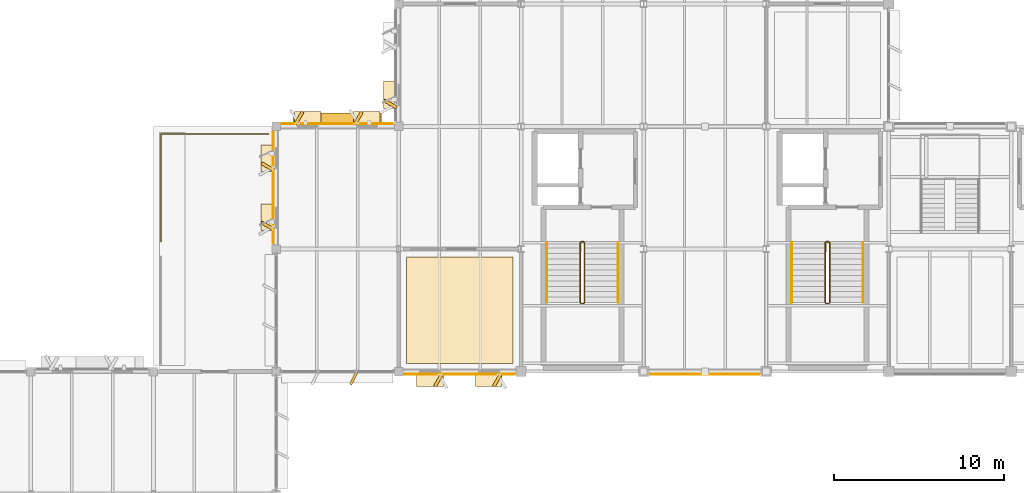
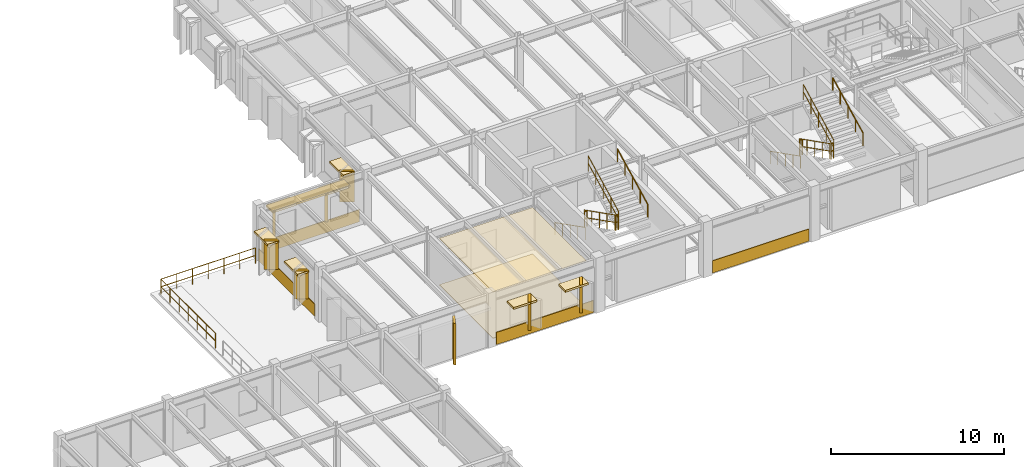
# One storey, part 32 of 35: 21 coverings, 14 railings, 1 shading device.
"""IFC4 building model written with IfcOpenShell, lengths in metres."""

from ifc_helpers import new_model, si_unit, direction, frame, frame_2d, origin, origin_2d, place, context, subcontext, project, spatial, polyline, rectangle, circle, outline, extrude, material, layer, layer_set, type_object, element, save


model = new_model("IFC4")

# Units and contexts
model_context = context("Model", 3, precision=1e-05, world=origin(), true_north=direction((0.0, 1.0)))
body_context = subcontext(model_context, "Body", "Model", "MODEL_VIEW")
ifc_project = project(units=[si_unit("LENGTHUNIT", "METRE"), si_unit("AREAUNIT", "SQUARE_METRE"), si_unit("VOLUMEUNIT", "CUBIC_METRE"), si_unit("PLANEANGLEUNIT", "RADIAN"), si_unit("MASSUNIT", "GRAM", prefix="KILO")], contexts=[model_context])

# Site, building, storey
site_placement = place(None, origin())
site = spatial("IfcSite", under=ifc_project, at=site_placement, CompositionType="ELEMENT")
building_placement = place(site_placement, origin())
building = spatial("IfcBuilding", under=site, at=building_placement, Name="Sillqori Civic Hall", CompositionType="ELEMENT")
storey_placement = place(building_placement, frame((0.0, 0.0, 18.0)))
storey = spatial("IfcBuildingStorey", under=building, at=storey_placement, Name="L05", CompositionType="ELEMENT", Elevation=18.0)

# Coverings
ifc_material_1 = material(Name="Acoustic Gypsum Board Assembly 28", Category="gypsum")
ifc_layer_1 = layer(ifc_material_1, 0.028076171875)
ifc_layer_set_1 = layer_set([ifc_layer_1], Name="Acoustic Gypsum Board Assembly 28")
covering_type_1 = type_object("IfcCoveringType", Name="COV-CEIL-G28", PredefinedType="CEILING", material=ifc_layer_set_1)
covering_1_placement = place(storey_placement, frame((0.0, 0.0, 3.298095703125)))
element("IfcCovering", 1, at=covering_1_placement, inside=storey, type_object=covering_type_1, Name="Municipal Legal Secretariat Directorate acoustic ceiling", PredefinedType="CEILING", context=body_context, shape_type="SweptSolid", body=[
    extrude(outline(polyline([(43.679931640625, 79.679931640625), (49.919921875, 79.679931640625), (49.919921875, 85.919921875), (43.679931640625, 85.919921875), (43.679931640625, 79.679931640625)])), origin(), (0.0, 0.0, 1.0), 0.02783203125),
])
ifc_material_2 = material(Name="Cochabamba Honed Limestone Cladding", Category="masonry")
ifc_layer_2 = layer(ifc_material_2, 0.044921875)
ifc_layer_set_2 = layer_set([ifc_layer_2], Name="Cochabamba Honed Limestone Cladding")
covering_type_2 = type_object("IfcCoveringType", Name="COV-CLAD-LIME", PredefinedType="CLADDING", material=ifc_layer_set_2)
covering_2_placement = place(storey_placement, frame((40.739013671875, 79.14990234375, 0.06005859375), z_axis=(0.0, 0.0, 1.0), x_axis=(-0.447334902547, -0.894366527193, 0.0)))
element("IfcCovering", 2, at=covering_2_placement, inside=storey, type_object=covering_type_2, Name="L05 curtain-wall angled stone fin L05-05-11-S.1", PredefinedType="CLADDING", context=body_context, shape_type="SweptSolid", body=[
    extrude(rectangle(XDim=0.804931640625, YDim=0.139892578125, at=frame_2d((0.40234375, 0.0))), origin(), (0.0, 0.0, 1.0), 2.931884765625),
])
covering_3_placement = place(storey_placement, frame((36.330078125, 93.760009765625, 0.0400390625), z_axis=(0.0, 0.0, 1.0), x_axis=(1.0, 0.0, 0.0)))
element("IfcCovering", 3, at=covering_3_placement, inside=storey, type_object=covering_type_2, Name="L05 limestone spandrel cladding L05-05-12-N", PredefinedType="CLADDING", context=body_context, shape_type="SweptSolid", body=[
    extrude(rectangle(XDim=6.5400390625, YDim=0.044921875, at=frame_2d((3.27001953125, 0.0))), origin(), (0.0, 0.0, 1.0), 0.85986328125),
])
covering_4_placement = place(storey_placement, frame((37.137939453125, 93.719970703125, 0.830078125), z_axis=(0.0, 0.0, 1.0), x_axis=(0.500062241894, 0.865989465428, 0.0)))
element("IfcCovering", 4, at=covering_4_placement, inside=storey, type_object=covering_type_2, Name="Sawtooth limestone angled reveal cheek L05-05-12-N.1", PredefinedType="CLADDING", context=body_context, shape_type="SweptSolid", body=[
    extrude(rectangle(XDim=0.85009765625, YDim=0.179931640625, at=frame_2d((0.425048828125, 0.0))), origin(), (0.0, 0.0, 1.0), 2.0),
])
covering_5_placement = place(storey_placement, frame((37.077880859375, 94.10009765625, 2.68994140625), z_axis=(0.0, 0.0, 1.0), x_axis=(1.0, 0.0, 0.0)))
element("IfcCovering", 5, at=covering_5_placement, inside=storey, type_object=covering_type_2, Name="Sawtooth limestone window hood L05-05-12-N.1", PredefinedType="CLADDING", context=body_context, shape_type="SweptSolid", body=[
    extrude(rectangle(XDim=1.56005859375, YDim=0.780029296875, at=frame_2d((0.780029296875, 0.0))), origin(), (0.0, 0.0, 1.0), 0.14013671875),
])
covering_6_placement = place(storey_placement, frame((40.6220703125, 93.719970703125, 0.830078125), z_axis=(0.0, 0.0, 1.0), x_axis=(0.500062241894, 0.865989465428, 0.0)))
element("IfcCovering", 6, at=covering_6_placement, inside=storey, type_object=covering_type_2, Name="Sawtooth limestone angled reveal cheek L05-05-12-N.2", PredefinedType="CLADDING", context=body_context, shape_type="SweptSolid", body=[
    extrude(rectangle(XDim=0.85009765625, YDim=0.179931640625, at=frame_2d((0.425048828125, 0.0))), origin(), (0.0, 0.0, 1.0), 2.0),
])
covering_7_placement = place(storey_placement, frame((40.56201171875, 94.10009765625, 2.68994140625), z_axis=(0.0, 0.0, 1.0), x_axis=(1.0, 0.0, 0.0)))
element("IfcCovering", 7, at=covering_7_placement, inside=storey, type_object=covering_type_2, Name="Sawtooth limestone window hood L05-05-12-N.2", PredefinedType="CLADDING", context=body_context, shape_type="SweptSolid", body=[
    extrude(rectangle(XDim=1.56005859375, YDim=0.780029296875, at=frame_2d((0.780029296875, 0.0))), origin(), (0.0, 0.0, 1.0), 0.14013671875),
])
covering_8_placement = place(storey_placement, frame((35.840087890625, 86.72998046875, 0.0400390625), z_axis=(0.0, 0.0, 1.0), x_axis=(0.0, 1.0, 0.0)))
element("IfcCovering", 8, at=covering_8_placement, inside=storey, type_object=covering_type_2, Name="L05 limestone spandrel cladding L05-05-12-W", PredefinedType="CLADDING", context=body_context, shape_type="SweptSolid", body=[
    extrude(rectangle(XDim=6.5400390625, YDim=0.044921875, at=frame_2d((3.27001953125, 0.0))), origin(), (0.0, 0.0, 1.0), 0.85986328125),
])
covering_9_placement = place(storey_placement, frame((35.8798828125, 87.5380859375, 0.830078125), z_axis=(0.0, 0.0, 1.0), x_axis=(-0.866113839764, 0.499846793097, 0.0)))
element("IfcCovering", 9, at=covering_9_placement, inside=storey, type_object=covering_type_2, Name="Sawtooth limestone angled reveal cheek L05-05-12-W.1", PredefinedType="CLADDING", context=body_context, shape_type="SweptSolid", body=[
    extrude(rectangle(XDim=0.849853515625, YDim=0.179931640625, at=frame_2d((0.4248046875, 0.0))), origin(), (0.0, 0.0, 1.0), 2.0),
])
covering_10_placement = place(storey_placement, frame((35.5, 87.47802734375, 2.68994140625), z_axis=(0.0, 0.0, 1.0), x_axis=(0.0, 1.0, 0.0)))
element("IfcCovering", 10, at=covering_10_placement, inside=storey, type_object=covering_type_2, Name="Sawtooth limestone window hood L05-05-12-W.1", PredefinedType="CLADDING", context=body_context, shape_type="SweptSolid", body=[
    extrude(rectangle(XDim=1.56005859375, YDim=0.780029296875, at=frame_2d((0.780029296875, 0.0))), origin(), (0.0, 0.0, 1.0), 0.14013671875),
])
covering_11_placement = place(storey_placement, frame((35.8798828125, 91.02197265625, 0.830078125), z_axis=(0.0, 0.0, 1.0), x_axis=(-0.865989465428, 0.500062241894, 0.0)))
element("IfcCovering", 11, at=covering_11_placement, inside=storey, type_object=covering_type_2, Name="Sawtooth limestone angled reveal cheek L05-05-12-W.2", PredefinedType="CLADDING", context=body_context, shape_type="SweptSolid", body=[
    extrude(rectangle(XDim=0.85009765625, YDim=0.179931640625, at=frame_2d((0.425048828125, 0.0))), origin(), (0.0, 0.0, 1.0), 2.0),
])
covering_12_placement = place(storey_placement, frame((35.5, 90.9619140625, 2.68994140625), z_axis=(0.0, 0.0, 1.0), x_axis=(0.0, 1.0, 0.0)))
element("IfcCovering", 12, at=covering_12_placement, inside=storey, type_object=covering_type_2, Name="Sawtooth limestone window hood L05-05-12-W.2", PredefinedType="CLADDING", context=body_context, shape_type="SweptSolid", body=[
    extrude(rectangle(XDim=1.56005859375, YDim=0.780029296875, at=frame_2d((0.780029296875, 0.0))), origin(), (0.0, 0.0, 1.0), 0.14013671875),
])
covering_13_placement = place(storey_placement, frame((50.02001953125, 79.0400390625, 0.0400390625), z_axis=(0.0, 0.0, 1.0), x_axis=(-1.0, 0.0, 0.0)))
element("IfcCovering", 13, at=covering_13_placement, inside=storey, type_object=covering_type_2, Name="L05 limestone spandrel cladding L05-06-11-S", PredefinedType="CLADDING", context=body_context, shape_type="SweptSolid", body=[
    extrude(rectangle(XDim=6.489990234375, YDim=0.044921875, at=frame_2d((3.2451171875, 0.0))), origin(), (0.0, 0.0, 1.0), 0.85986328125),
])
covering_14_placement = place(storey_placement, frame((49.22412109375, 79.080078125, 0.830078125), z_axis=(0.0, 0.0, 1.0), x_axis=(-0.500062241894, -0.865989465428, 0.0)))
element("IfcCovering", 14, at=covering_14_placement, inside=storey, type_object=covering_type_2, Name="Sawtooth limestone angled reveal cheek L05-06-11-S.1", PredefinedType="CLADDING", context=body_context, shape_type="SweptSolid", body=[
    extrude(rectangle(XDim=0.85009765625, YDim=0.179931640625, at=frame_2d((0.425048828125, 0.0))), origin(), (0.0, 0.0, 1.0), 2.0),
])
covering_15_placement = place(storey_placement, frame((49.283935546875, 78.699951171875, 2.68994140625), z_axis=(0.0, 0.0, 1.0), x_axis=(-1.0, 0.0, 0.0)))
element("IfcCovering", 15, at=covering_15_placement, inside=storey, type_object=covering_type_2, Name="Sawtooth limestone window hood L05-06-11-S.1", PredefinedType="CLADDING", context=body_context, shape_type="SweptSolid", body=[
    extrude(rectangle(XDim=1.559814453125, YDim=0.780029296875, at=frame_2d((0.77978515625, 0.0))), origin(), (0.0, 0.0, 1.0), 0.14013671875),
])
covering_16_placement = place(storey_placement, frame((45.76611328125, 79.080078125, 0.830078125), z_axis=(0.0, 0.0, 1.0), x_axis=(-0.500062241894, -0.865989465428, 0.0)))
element("IfcCovering", 16, at=covering_16_placement, inside=storey, type_object=covering_type_2, Name="Sawtooth limestone angled reveal cheek L05-06-11-S.2", PredefinedType="CLADDING", context=body_context, shape_type="SweptSolid", body=[
    extrude(rectangle(XDim=0.85009765625, YDim=0.179931640625, at=frame_2d((0.425048828125, 0.0))), origin(), (0.0, 0.0, 1.0), 2.0),
])
covering_17_placement = place(storey_placement, frame((45.825927734375, 78.699951171875, 2.68994140625), z_axis=(0.0, 0.0, 1.0), x_axis=(-1.0, 0.0, 0.0)))
element("IfcCovering", 17, at=covering_17_placement, inside=storey, type_object=covering_type_2, Name="Sawtooth limestone window hood L05-06-11-S.2", PredefinedType="CLADDING", context=body_context, shape_type="SweptSolid", body=[
    extrude(rectangle(XDim=1.559814453125, YDim=0.780029296875, at=frame_2d((0.77978515625, 0.0))), origin(), (0.0, 0.0, 1.0), 0.14013671875),
])
covering_18_placement = place(storey_placement, frame((43.080078125, 94.712890625, 0.830078125), z_axis=(0.0, 0.0, 1.0), x_axis=(-0.865989465428, 0.500062241894, 0.0)))
element("IfcCovering", 18, at=covering_18_placement, inside=storey, type_object=covering_type_2, Name="Sawtooth limestone angled reveal cheek L05-06-13-W.1", PredefinedType="CLADDING", context=body_context, shape_type="SweptSolid", body=[
    extrude(rectangle(XDim=0.85009765625, YDim=0.179931640625, at=frame_2d((0.425048828125, 0.0))), origin(), (0.0, 0.0, 1.0), 2.14990234375),
])
covering_19_placement = place(storey_placement, frame((42.699951171875, 94.653076171875, 2.840087890625), z_axis=(0.0, 0.0, 1.0), x_axis=(0.0, 1.0, 0.0)))
element("IfcCovering", 19, at=covering_19_placement, inside=storey, type_object=covering_type_2, Name="Sawtooth limestone window hood L05-06-13-W.1", PredefinedType="CLADDING", context=body_context, shape_type="SweptSolid", body=[
    extrude(rectangle(XDim=1.60986328125, YDim=0.780029296875, at=frame_2d((0.804931640625, 0.0))), origin(), (0.0, 0.0, 1.0), 0.139892578125),
])
covering_20_placement = place(storey_placement, frame((64.419921875, 79.0400390625, 0.0400390625), z_axis=(0.0, 0.0, 1.0), x_axis=(-1.0, 0.0, 0.0)))
element("IfcCovering", 20, at=covering_20_placement, inside=storey, type_object=covering_type_2, Name="L05 limestone spandrel cladding L05-08-11-S", PredefinedType="CLADDING", context=body_context, shape_type="SweptSolid", body=[
    extrude(rectangle(XDim=6.43994140625, YDim=0.044921875, at=frame_2d((3.219970703125, 0.0))), origin(), (0.0, 0.0, 1.0), 0.85986328125),
])
ifc_material_3 = material(Name="Honed Comanche Sandstone Paving 38", Category="masonry")
ifc_layer_3 = layer(ifc_material_3, 0.0380859375)
ifc_layer_set_3 = layer_set([ifc_layer_3], Name="Honed Comanche Sandstone Paving 38")
covering_type_3 = type_object("IfcCoveringType", Name="COV-FLR-S38", PredefinedType="FLOORING", material=ifc_layer_set_3)
covering_21_placement = place(storey_placement, origin())
element("IfcCovering", 21, at=covering_21_placement, inside=storey, type_object=covering_type_3, Name="Municipal Legal Secretariat Directorate floor finish", PredefinedType="FLOORING", context=body_context, shape_type="SweptSolid", body=[
    extrude(outline(polyline([(43.679931640625, 79.679931640625), (49.919921875, 79.679931640625), (49.919921875, 85.919921875), (43.679931640625, 85.919921875), (43.679931640625, 79.679931640625)])), origin(), (0.0, 0.0, 1.0), 0.0380859375),
])

# Railings
ifc_material_4 = material(Name="Brushed Stainless Steel 316 Handrail", Category="steel")
ifc_layer_4 = layer(ifc_material_4, 0.044921875)
ifc_layer_set_4 = layer_set([ifc_layer_4], Name="Brushed Stainless Steel 316 Handrail")
railing_type_1 = type_object("IfcRailingType", Name="RLG-CORE-092", PredefinedType="HANDRAIL", material=ifc_layer_set_4)
railing_1_placement = place(storey_placement, frame((51.909912109375, 86.77001953125, 0.16259765625)))
element("IfcRailing", 22, at=railing_1_placement, inside=storey, type_object=railing_type_1, Name="L05 ST-05 stair handrail 1", PredefinedType="HANDRAIL", context=body_context, shape_type="SweptSolid", body=[
    extrude(circle(Radius=0.02392578125, at=origin_2d()), frame((0.0, 0.0, 0.8759765625), z_axis=(0.0, -0.891639500788, 0.452746066394), x_axis=(1.0, 0.0, 0.0)), (0.0, 0.0, 1.0), 3.94775390625),
    extrude(circle(Radius=0.02099609375, at=origin_2d()), origin(), (0.0, 0.0, 1.0), 0.851806640625),
    extrude(circle(Radius=0.02099609375, at=origin_2d()), frame((0.0, -0.8798828125, 0.44677734375)), (0.0, 0.0, 1.0), 0.851806640625),
    extrude(circle(Radius=0.02099609375, at=origin_2d()), frame((0.0, -1.760009765625, 0.8935546875)), (0.0, 0.0, 1.0), 0.851806640625),
    extrude(circle(Radius=0.02099609375, at=origin_2d()), frame((0.0, -2.64013671875, 1.340576171875)), (0.0, 0.0, 1.0), 0.851806640625),
    extrude(circle(Radius=0.02099609375, at=origin_2d()), frame((0.0, -3.52001953125, 1.787353515625)), (0.0, 0.0, 1.0), 0.851806640625),
])
railing_2_placement = place(storey_placement, frame((56.090087890625, 83.25, 2.112548828125)))
element("IfcRailing", 23, at=railing_2_placement, inside=storey, type_object=railing_type_1, Name="L05 ST-05 stair handrail 2", PredefinedType="HANDRAIL", context=body_context, shape_type="SweptSolid", body=[
    extrude(circle(Radius=0.02392578125, at=origin_2d()), frame((0.0, 0.0, 0.8759765625), z_axis=(0.0, 0.891639500788, 0.452746066394), x_axis=(-1.0, 0.0, 0.0)), (0.0, 0.0, 1.0), 3.94775390625),
    extrude(circle(Radius=0.02099609375, at=origin_2d()), origin(), (0.0, 0.0, 1.0), 0.851806640625),
    extrude(circle(Radius=0.02099609375, at=origin_2d()), frame((0.0, 0.8798828125, 0.44677734375)), (0.0, 0.0, 1.0), 0.851806640625),
    extrude(circle(Radius=0.02099609375, at=origin_2d()), frame((0.0, 1.760009765625, 0.8935546875)), (0.0, 0.0, 1.0), 0.851806640625),
    extrude(circle(Radius=0.02099609375, at=origin_2d()), frame((0.0, 2.64013671875, 1.340576171875)), (0.0, 0.0, 1.0), 0.851806640625),
    extrude(circle(Radius=0.02099609375, at=origin_2d()), frame((0.0, 3.52001953125, 1.787353515625)), (0.0, 0.0, 1.0), 0.851806640625),
])
railing_3_placement = place(storey_placement, frame((66.31005859375, 86.77001953125, 0.16259765625)))
element("IfcRailing", 24, at=railing_3_placement, inside=storey, type_object=railing_type_1, Name="L05 ST-06 stair handrail 1", PredefinedType="HANDRAIL", context=body_context, shape_type="SweptSolid", body=[
    extrude(circle(Radius=0.02392578125, at=origin_2d()), frame((0.0, 0.0, 0.8759765625), z_axis=(0.0, -0.891639500788, 0.452746066394), x_axis=(1.0, 0.0, 0.0)), (0.0, 0.0, 1.0), 3.94775390625),
    extrude(circle(Radius=0.02099609375, at=origin_2d()), origin(), (0.0, 0.0, 1.0), 0.851806640625),
    extrude(circle(Radius=0.02099609375, at=origin_2d()), frame((0.0, -0.8798828125, 0.44677734375)), (0.0, 0.0, 1.0), 0.851806640625),
    extrude(circle(Radius=0.02099609375, at=origin_2d()), frame((0.0, -1.760009765625, 0.8935546875)), (0.0, 0.0, 1.0), 0.851806640625),
    extrude(circle(Radius=0.02099609375, at=origin_2d()), frame((0.0, -2.64013671875, 1.340576171875)), (0.0, 0.0, 1.0), 0.851806640625),
    extrude(circle(Radius=0.02099609375, at=origin_2d()), frame((0.0, -3.52001953125, 1.787353515625)), (0.0, 0.0, 1.0), 0.851806640625),
])
railing_4_placement = place(storey_placement, frame((70.489990234375, 83.25, 2.112548828125)))
element("IfcRailing", 25, at=railing_4_placement, inside=storey, type_object=railing_type_1, Name="L05 ST-06 stair handrail 2", PredefinedType="HANDRAIL", context=body_context, shape_type="SweptSolid", body=[
    extrude(circle(Radius=0.02392578125, at=origin_2d()), frame((0.0, 0.0, 0.8759765625), z_axis=(0.0, 0.891639500788, 0.452746066394), x_axis=(-1.0, 0.0, 0.0)), (0.0, 0.0, 1.0), 3.94775390625),
    extrude(circle(Radius=0.02099609375, at=origin_2d()), origin(), (0.0, 0.0, 1.0), 0.851806640625),
    extrude(circle(Radius=0.02099609375, at=origin_2d()), frame((0.0, 0.8798828125, 0.44677734375)), (0.0, 0.0, 1.0), 0.851806640625),
    extrude(circle(Radius=0.02099609375, at=origin_2d()), frame((0.0, 1.760009765625, 0.8935546875)), (0.0, 0.0, 1.0), 0.851806640625),
    extrude(circle(Radius=0.02099609375, at=origin_2d()), frame((0.0, 2.64013671875, 1.340576171875)), (0.0, 0.0, 1.0), 0.851806640625),
    extrude(circle(Radius=0.02099609375, at=origin_2d()), frame((0.0, 3.52001953125, 1.787353515625)), (0.0, 0.0, 1.0), 0.851806640625),
])
ifc_material_5 = material(Name="Galvanized Painted Steel Guardrail", Category="steel")
ifc_layer_5 = layer(ifc_material_5, 0.050048828125)
ifc_layer_set_5 = layer_set([ifc_layer_5], Name="Galvanized Painted Steel Guardrail")
railing_type_2 = type_object("IfcRailingType", Name="RLG-CORE-110", PredefinedType="GUARDRAIL", material=ifc_layer_set_5)
railing_5_placement = place(storey_placement, frame((53.8701171875, 86.77001953125, 0.16259765625)))
element("IfcRailing", 26, at=railing_5_placement, inside=storey, type_object=railing_type_2, Name="L05 ST-05 stair guard 1", PredefinedType="GUARDRAIL", context=body_context, shape_type="SweptSolid", body=[
    extrude(circle(Radius=0.02392578125, at=origin_2d()), frame((0.0, 0.0, 1.076171875), z_axis=(0.0, -0.891639500788, 0.452746066394), x_axis=(1.0, 0.0, 0.0)), (0.0, 0.0, 1.0), 3.94775390625),
    extrude(circle(Radius=0.02392578125, at=origin_2d()), frame((0.0, 0.0, 0.550048828125), z_axis=(0.0, -0.891639500788, 0.452746066394), x_axis=(1.0, 0.0, 0.0)), (0.0, 0.0, 1.0), 3.94775390625),
    extrude(circle(Radius=0.02099609375, at=origin_2d()), origin(), (0.0, 0.0, 1.0), 1.052001953125),
    extrude(circle(Radius=0.02099609375, at=origin_2d()), frame((0.0, -0.8798828125, 0.44677734375)), (0.0, 0.0, 1.0), 1.052001953125),
    extrude(circle(Radius=0.02099609375, at=origin_2d()), frame((0.0, -1.760009765625, 0.8935546875)), (0.0, 0.0, 1.0), 1.052001953125),
    extrude(circle(Radius=0.02099609375, at=origin_2d()), frame((0.0, -2.64013671875, 1.340576171875)), (0.0, 0.0, 1.0), 1.052001953125),
    extrude(circle(Radius=0.02099609375, at=origin_2d()), frame((0.0, -3.52001953125, 1.787353515625)), (0.0, 0.0, 1.0), 1.052001953125),
])
railing_6_placement = place(storey_placement, frame((53.919921875, 83.199951171875, 1.949951171875)))
element("IfcRailing", 27, at=railing_6_placement, inside=storey, type_object=railing_type_2, Name="L05 ST-05 stair guard 2", PredefinedType="GUARDRAIL", context=body_context, shape_type="SweptSolid", body=[
    extrude(circle(Radius=0.02392578125, at=origin_2d()), frame((0.0, 0.0, 1.076171875), z_axis=(1.0, 0.0, 0.0), x_axis=(0.0, 1.0, 0.0)), (0.0, 0.0, 1.0), 0.16015625),
    extrude(circle(Radius=0.02392578125, at=origin_2d()), frame((0.0, 0.0, 0.550048828125), z_axis=(1.0, 0.0, 0.0), x_axis=(0.0, 1.0, 0.0)), (0.0, 0.0, 1.0), 0.16015625),
    extrude(circle(Radius=0.02099609375, at=origin_2d()), origin(), (0.0, 0.0, 1.0), 1.052001953125),
    extrude(circle(Radius=0.02099609375, at=origin_2d()), frame((0.16015625, 0.0, 0.0)), (0.0, 0.0, 1.0), 1.052001953125),
])
railing_7_placement = place(storey_placement, frame((54.1298828125, 83.25, 2.112548828125)))
element("IfcRailing", 28, at=railing_7_placement, inside=storey, type_object=railing_type_2, Name="L05 ST-05 stair guard 3", PredefinedType="GUARDRAIL", context=body_context, shape_type="SweptSolid", body=[
    extrude(circle(Radius=0.02392578125, at=origin_2d()), frame((0.0, 0.0, 1.076171875), z_axis=(0.0, 0.891639500788, 0.452746066394), x_axis=(-1.0, 0.0, 0.0)), (0.0, 0.0, 1.0), 3.94775390625),
    extrude(circle(Radius=0.02392578125, at=origin_2d()), frame((0.0, 0.0, 0.550048828125), z_axis=(0.0, 0.891639500788, 0.452746066394), x_axis=(-1.0, 0.0, 0.0)), (0.0, 0.0, 1.0), 3.94775390625),
    extrude(circle(Radius=0.02099609375, at=origin_2d()), origin(), (0.0, 0.0, 1.0), 1.052001953125),
    extrude(circle(Radius=0.02099609375, at=origin_2d()), frame((0.0, 0.8798828125, 0.44677734375)), (0.0, 0.0, 1.0), 1.052001953125),
    extrude(circle(Radius=0.02099609375, at=origin_2d()), frame((0.0, 1.760009765625, 0.8935546875)), (0.0, 0.0, 1.0), 1.052001953125),
    extrude(circle(Radius=0.02099609375, at=origin_2d()), frame((0.0, 2.64013671875, 1.340576171875)), (0.0, 0.0, 1.0), 1.052001953125),
    extrude(circle(Radius=0.02099609375, at=origin_2d()), frame((0.0, 3.52001953125, 1.787353515625)), (0.0, 0.0, 1.0), 1.052001953125),
])
railing_8_placement = place(storey_placement, frame((53.919921875, 86.820068359375, 0.0)))
element("IfcRailing", 29, at=railing_8_placement, inside=storey, type_object=railing_type_2, Name="L05 ST-05 stair guard 4", PredefinedType="GUARDRAIL", context=body_context, shape_type="SweptSolid", body=[
    extrude(circle(Radius=0.02392578125, at=origin_2d()), frame((0.0, 0.0, 1.076171875), z_axis=(1.0, 0.0, 0.0), x_axis=(0.0, 1.0, 0.0)), (0.0, 0.0, 1.0), 0.16015625),
    extrude(circle(Radius=0.02392578125, at=origin_2d()), frame((0.0, 0.0, 0.550048828125), z_axis=(1.0, 0.0, 0.0), x_axis=(0.0, 1.0, 0.0)), (0.0, 0.0, 1.0), 0.16015625),
    extrude(circle(Radius=0.02099609375, at=origin_2d()), origin(), (0.0, 0.0, 1.0), 1.052001953125),
    extrude(circle(Radius=0.02099609375, at=origin_2d()), frame((0.16015625, 0.0, 0.0)), (0.0, 0.0, 1.0), 1.052001953125),
])
railing_9_placement = place(storey_placement, frame((68.27001953125, 86.77001953125, 0.16259765625)))
element("IfcRailing", 30, at=railing_9_placement, inside=storey, type_object=railing_type_2, Name="L05 ST-06 stair guard 1", PredefinedType="GUARDRAIL", context=body_context, shape_type="SweptSolid", body=[
    extrude(circle(Radius=0.02392578125, at=origin_2d()), frame((0.0, 0.0, 1.076171875), z_axis=(0.0, -0.891639500788, 0.452746066394), x_axis=(1.0, 0.0, 0.0)), (0.0, 0.0, 1.0), 3.94775390625),
    extrude(circle(Radius=0.02392578125, at=origin_2d()), frame((0.0, 0.0, 0.550048828125), z_axis=(0.0, -0.891639500788, 0.452746066394), x_axis=(1.0, 0.0, 0.0)), (0.0, 0.0, 1.0), 3.94775390625),
    extrude(circle(Radius=0.02099609375, at=origin_2d()), origin(), (0.0, 0.0, 1.0), 1.052001953125),
    extrude(circle(Radius=0.02099609375, at=origin_2d()), frame((0.0, -0.8798828125, 0.44677734375)), (0.0, 0.0, 1.0), 1.052001953125),
    extrude(circle(Radius=0.02099609375, at=origin_2d()), frame((0.0, -1.760009765625, 0.8935546875)), (0.0, 0.0, 1.0), 1.052001953125),
    extrude(circle(Radius=0.02099609375, at=origin_2d()), frame((0.0, -2.64013671875, 1.340576171875)), (0.0, 0.0, 1.0), 1.052001953125),
    extrude(circle(Radius=0.02099609375, at=origin_2d()), frame((0.0, -3.52001953125, 1.787353515625)), (0.0, 0.0, 1.0), 1.052001953125),
])
railing_10_placement = place(storey_placement, frame((68.320068359375, 83.199951171875, 1.949951171875)))
element("IfcRailing", 31, at=railing_10_placement, inside=storey, type_object=railing_type_2, Name="L05 ST-06 stair guard 2", PredefinedType="GUARDRAIL", context=body_context, shape_type="SweptSolid", body=[
    extrude(circle(Radius=0.02392578125, at=origin_2d()), frame((0.0, 0.0, 1.076171875), z_axis=(1.0, 0.0, 0.0), x_axis=(0.0, 1.0, 0.0)), (0.0, 0.0, 1.0), 0.159912109375),
    extrude(circle(Radius=0.02392578125, at=origin_2d()), frame((0.0, 0.0, 0.550048828125), z_axis=(1.0, 0.0, 0.0), x_axis=(0.0, 1.0, 0.0)), (0.0, 0.0, 1.0), 0.159912109375),
    extrude(circle(Radius=0.02099609375, at=origin_2d()), origin(), (0.0, 0.0, 1.0), 1.052001953125),
    extrude(circle(Radius=0.02099609375, at=origin_2d()), frame((0.159912109375, 0.0, 0.0)), (0.0, 0.0, 1.0), 1.052001953125),
])
railing_11_placement = place(storey_placement, frame((68.530029296875, 83.25, 2.112548828125)))
element("IfcRailing", 32, at=railing_11_placement, inside=storey, type_object=railing_type_2, Name="L05 ST-06 stair guard 3", PredefinedType="GUARDRAIL", context=body_context, shape_type="SweptSolid", body=[
    extrude(circle(Radius=0.02392578125, at=origin_2d()), frame((0.0, 0.0, 1.076171875), z_axis=(0.0, 0.891639500788, 0.452746066394), x_axis=(-1.0, 0.0, 0.0)), (0.0, 0.0, 1.0), 3.94775390625),
    extrude(circle(Radius=0.02392578125, at=origin_2d()), frame((0.0, 0.0, 0.550048828125), z_axis=(0.0, 0.891639500788, 0.452746066394), x_axis=(-1.0, 0.0, 0.0)), (0.0, 0.0, 1.0), 3.94775390625),
    extrude(circle(Radius=0.02099609375, at=origin_2d()), origin(), (0.0, 0.0, 1.0), 1.052001953125),
    extrude(circle(Radius=0.02099609375, at=origin_2d()), frame((0.0, 0.8798828125, 0.44677734375)), (0.0, 0.0, 1.0), 1.052001953125),
    extrude(circle(Radius=0.02099609375, at=origin_2d()), frame((0.0, 1.760009765625, 0.8935546875)), (0.0, 0.0, 1.0), 1.052001953125),
    extrude(circle(Radius=0.02099609375, at=origin_2d()), frame((0.0, 2.64013671875, 1.340576171875)), (0.0, 0.0, 1.0), 1.052001953125),
    extrude(circle(Radius=0.02099609375, at=origin_2d()), frame((0.0, 3.52001953125, 1.787353515625)), (0.0, 0.0, 1.0), 1.052001953125),
])
railing_12_placement = place(storey_placement, frame((68.320068359375, 86.820068359375, 0.0)))
element("IfcRailing", 33, at=railing_12_placement, inside=storey, type_object=railing_type_2, Name="L05 ST-06 stair guard 4", PredefinedType="GUARDRAIL", context=body_context, shape_type="SweptSolid", body=[
    extrude(circle(Radius=0.02392578125, at=origin_2d()), frame((0.0, 0.0, 1.076171875), z_axis=(1.0, 0.0, 0.0), x_axis=(0.0, 1.0, 0.0)), (0.0, 0.0, 1.0), 0.159912109375),
    extrude(circle(Radius=0.02392578125, at=origin_2d()), frame((0.0, 0.0, 0.550048828125), z_axis=(1.0, 0.0, 0.0), x_axis=(0.0, 1.0, 0.0)), (0.0, 0.0, 1.0), 0.159912109375),
    extrude(circle(Radius=0.02099609375, at=origin_2d()), origin(), (0.0, 0.0, 1.0), 1.052001953125),
    extrude(circle(Radius=0.02099609375, at=origin_2d()), frame((0.159912109375, 0.0, 0.0)), (0.0, 0.0, 1.0), 1.052001953125),
])
ifc_material_6 = material(Name="Stainless Steel 316 and Laminated Balustrade", Category="steel")
ifc_layer_6 = layer(ifc_material_6, 0.06005859375)
ifc_layer_set_6 = layer_set([ifc_layer_6], Name="Stainless Steel 316 and Laminated Balustrade")
railing_type_3 = type_object("IfcRailingType", Name="RLG-TERR-112", PredefinedType="GUARDRAIL", material=ifc_layer_set_6)
railing_13_placement = place(storey_placement, frame((29.239990234375, 93.159912109375, 0.0)))
element("IfcRailing", 34, at=railing_13_placement, inside=storey, type_object=railing_type_3, Name="Engineering West Roof Garden perimeter guard N-01", PredefinedType="GUARDRAIL", context=body_context, shape_type="SweptSolid", body=[
    extrude(circle(Radius=0.02392578125, at=origin_2d()), frame((0.0, 0.0, 1.09619140625), z_axis=(1.0, 0.0, 0.0), x_axis=(0.0, 1.0, 0.0)), (0.0, 0.0, 1.0), 6.320068359375),
    extrude(circle(Radius=0.02392578125, at=origin_2d()), frame((0.0, 0.0, 0.56005859375), z_axis=(1.0, 0.0, 0.0), x_axis=(0.0, 1.0, 0.0)), (0.0, 0.0, 1.0), 6.320068359375),
    extrude(circle(Radius=0.02099609375, at=origin_2d()), origin(), (0.0, 0.0, 1.0), 1.072021484375),
    extrude(circle(Radius=0.02099609375, at=origin_2d()), frame((1.05322265625, 0.0, 0.0)), (0.0, 0.0, 1.0), 1.072021484375),
    extrude(circle(Radius=0.02099609375, at=origin_2d()), frame((2.106689453125, 0.0, 0.0)), (0.0, 0.0, 1.0), 1.072021484375),
    extrude(circle(Radius=0.02099609375, at=origin_2d()), frame((3.16015625, 0.0, 0.0)), (0.0, 0.0, 1.0), 1.072021484375),
    extrude(circle(Radius=0.02099609375, at=origin_2d()), frame((4.21337890625, 0.0, 0.0)), (0.0, 0.0, 1.0), 1.072021484375),
    extrude(circle(Radius=0.02099609375, at=origin_2d()), frame((5.2666015625, 0.0, 0.0)), (0.0, 0.0, 1.0), 1.072021484375),
    extrude(circle(Radius=0.02099609375, at=origin_2d()), frame((6.320068359375, 0.0, 0.0)), (0.0, 0.0, 1.0), 1.072021484375),
])
railing_14_placement = place(storey_placement, frame((29.239990234375, 86.840087890625, 0.0)))
element("IfcRailing", 35, at=railing_14_placement, inside=storey, type_object=railing_type_3, Name="Engineering West Roof Garden perimeter guard W-03", PredefinedType="GUARDRAIL", context=body_context, shape_type="SweptSolid", body=[
    extrude(circle(Radius=0.02392578125, at=origin_2d()), frame((0.0, 0.0, 1.09619140625), z_axis=(0.0, 1.0, 0.0), x_axis=(-1.0, 0.0, 0.0)), (0.0, 0.0, 1.0), 6.31982421875),
    extrude(circle(Radius=0.02392578125, at=origin_2d()), frame((0.0, 0.0, 0.56005859375), z_axis=(0.0, 1.0, 0.0), x_axis=(-1.0, 0.0, 0.0)), (0.0, 0.0, 1.0), 6.31982421875),
    extrude(circle(Radius=0.02099609375, at=origin_2d()), origin(), (0.0, 0.0, 1.0), 1.072021484375),
    extrude(circle(Radius=0.02099609375, at=origin_2d()), frame((0.0, 1.05322265625, 0.0)), (0.0, 0.0, 1.0), 1.072021484375),
    extrude(circle(Radius=0.02099609375, at=origin_2d()), frame((0.0, 2.106689453125, 0.0)), (0.0, 0.0, 1.0), 1.072021484375),
    extrude(circle(Radius=0.02099609375, at=origin_2d()), frame((0.0, 3.159912109375, 0.0)), (0.0, 0.0, 1.0), 1.072021484375),
    extrude(circle(Radius=0.02099609375, at=origin_2d()), frame((0.0, 4.213134765625, 0.0)), (0.0, 0.0, 1.0), 1.072021484375),
    extrude(circle(Radius=0.02099609375, at=origin_2d()), frame((0.0, 5.2666015625, 0.0)), (0.0, 0.0, 1.0), 1.072021484375),
    extrude(circle(Radius=0.02099609375, at=origin_2d()), frame((0.0, 6.31982421875, 0.0)), (0.0, 0.0, 1.0), 1.072021484375),
])

# Shading device
ifc_material_7 = material(Name="Anodized Aluminium Solar Control Louvre", Category="aluminium")
shading_device_type = type_object("IfcShadingDeviceType", Name="SHD-HOOD-520", PredefinedType="JALOUSIE", material=ifc_material_7)
shading_device_placement = place(storey_placement, frame((39.60009765625, 94.06494140625, 2.72021484375), z_axis=(0.0, 0.0, 1.0), x_axis=(1.0, 0.0, 0.0)))
element("IfcShadingDevice", 36, at=shading_device_placement, inside=storey, type_object=shading_device_type, Name="L05 north solar hood L05-05-12-N", PredefinedType="JALOUSIE", context=body_context, shape_type="SweptSolid", body=[
    extrude(rectangle(XDim=5.199951171875, YDim=0.679931640625, at=origin_2d()), origin(), (0.0, 0.0, 1.0), 0.139892578125),
])

save(model, "model.ifc")
